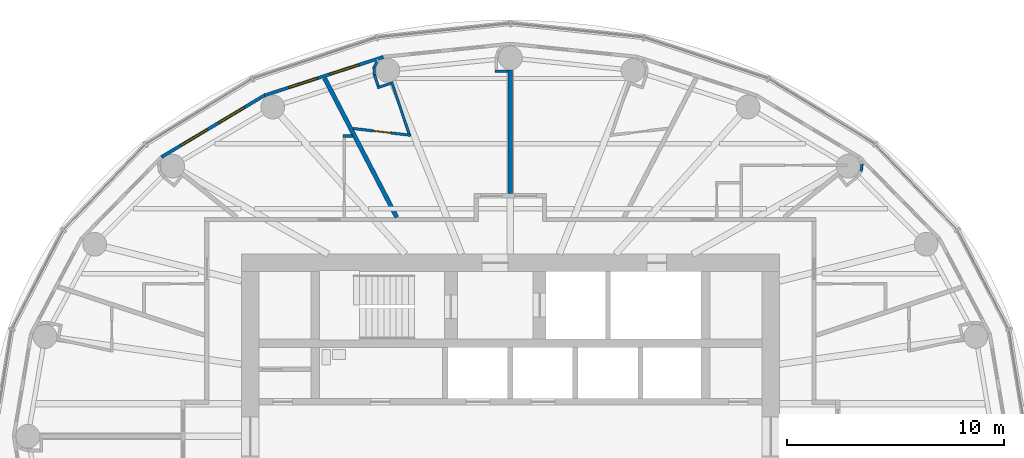
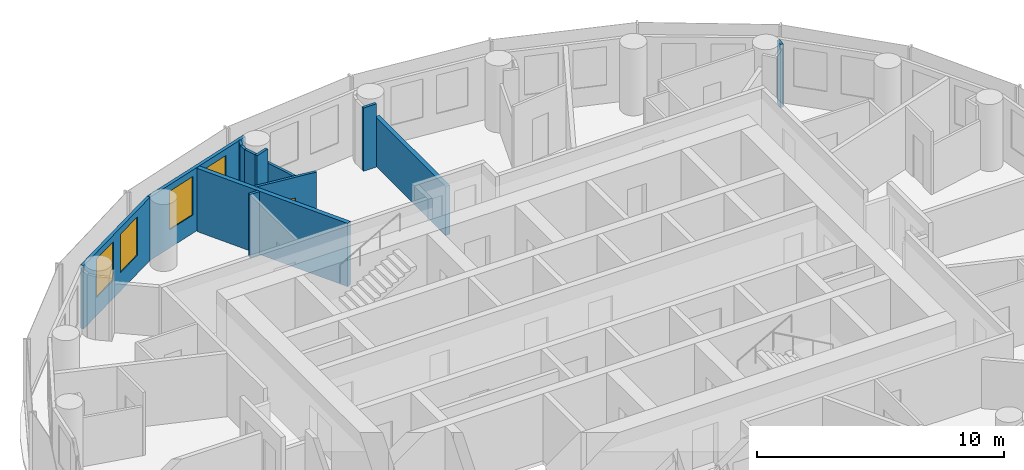
# One storey, part 12 of 16: 13 walls, 4 windows, 1 door, 5 openings.
"""IFC4 building model written with IfcOpenShell, lengths in metres."""

from ifc_helpers import new_model, si_unit, direction, frame, frame_2d, origin, place, context, subcontext, project, spatial, rectangle, extrude, material, layer, layer_set, type_object, element, fill, save


model = new_model("IFC4")

# Units and contexts
model_context = context("Model", 3, precision=1e-05, world=origin(), true_north=direction((0.0, 1.0)))
body_context = subcontext(model_context, "Body", "Model", "MODEL_VIEW")
ifc_project = project(units=[si_unit("LENGTHUNIT", "METRE"), si_unit("AREAUNIT", "SQUARE_METRE"), si_unit("VOLUMEUNIT", "CUBIC_METRE"), si_unit("PLANEANGLEUNIT", "RADIAN"), si_unit("MASSUNIT", "GRAM", prefix="KILO")], contexts=[model_context])

# Site, building, storey
site_placement = place(None, origin())
site = spatial("IfcSite", under=ifc_project, at=site_placement, CompositionType="ELEMENT")
building_placement = place(site_placement, origin())
building = spatial("IfcBuilding", under=site, at=building_placement, Name="Hankou Lantern Tower", CompositionType="ELEMENT")
storey_placement = place(building_placement, frame((0.0, 0.0, 150.0)))
storey = spatial("IfcBuildingStorey", under=building, at=storey_placement, Name="L39", CompositionType="ELEMENT", Elevation=150.0)

# Wall, openings, windows
ifc_material_1 = material(Name="Aluminium spandrel panel on steel studs", Category="steel")
ifc_layer_1 = layer(ifc_material_1, 0.14990234375)
ifc_layer_set_1 = layer_set([ifc_layer_1], Name="Aluminium spandrel panel on steel studs")
wall_type_1 = type_object("IfcWallType", Name="EW1 INNER SKIN WALL 150", PredefinedType="ELEMENTEDWALL", material=ifc_layer_set_1)
wall_1_placement = place(storey_placement, frame((-5.8603515625, 17.497314453125, 0.0), z_axis=(0.0, 0.0, 1.0), x_axis=(-0.951432482129, -0.307857486429, 0.0)))
wall_1 = element("IfcWall", 1, at=wall_1_placement, inside=storey, type_object=wall_type_1, Name="Inner skin R08-R09 L39", PredefinedType="ELEMENTEDWALL", context=body_context, shape_type="SweptSolid", body=[
    extrude(rectangle(XDim=5.76611328125, YDim=0.14990234375, at=frame_2d((2.883056640625, 0.0))), origin(), (0.0, 0.0, 1.0), 3.1201171875),
])
opening_1_placement = place(wall_1_placement, frame((1.18310546875, 0.0, 0.89990234375)))
opening_1 = element("IfcOpeningElement", 2, at=opening_1_placement, cuts=wall_1, Name="Opening W3", PredefinedType="OPENING", context=body_context, shape_type="SweptSolid", body=[
    extrude(rectangle(XDim=1.39990234375, YDim=1.89990234375, at=frame_2d((0.699951171875, 0.949951171875))), frame((0.0, 0.0849609375, 0.0), z_axis=(0.0, -1.0, 0.0), x_axis=(1.0, 0.0, 0.0)), (0.0, 0.0, 1.0), 0.169921875),
])
opening_2_placement = place(wall_1_placement, frame((3.18310546875, 0.0, 0.89990234375)))
opening_2 = element("IfcOpeningElement", 3, at=opening_2_placement, cuts=wall_1, Name="Opening W3", PredefinedType="OPENING", context=body_context, shape_type="SweptSolid", body=[
    extrude(rectangle(XDim=1.39990234375, YDim=1.89990234375, at=frame_2d((0.699951171875, 0.949951171875))), frame((0.0, 0.0849609375, 0.0), z_axis=(0.0, -1.0, 0.0), x_axis=(1.0, 0.0, 0.0)), (0.0, 0.0, 1.0), 0.169921875),
])
ifc_material_2 = material(Name="Aluminium framed double glazed window", Category="aluminium")
window_type = type_object("IfcWindowType", Name="W3 GUEST ROOM WINDOW 1400X1900", PartitioningType="DOUBLE_PANEL_VERTICAL", PredefinedType="WINDOW", material=ifc_material_2)
window_1_placement = place(opening_1_placement, origin())
window_1 = element("IfcWindow", 4, at=window_1_placement, inside=storey, type_object=window_type, Name="Window R08.1 L39", OverallHeight=1.89990234375, OverallWidth=1.39990234375, PartitioningType="SINGLE_PANEL", PredefinedType="WINDOW", context=body_context, shape_type="SweptSolid", body=[
    extrude(rectangle(XDim=1.39990234375, YDim=1.89990234375, at=frame_2d((0.699951171875, 0.949951171875))), frame((0.0, 0.030029296875, 0.0), z_axis=(0.0, -1.0, 0.0), x_axis=(1.0, 0.0, 0.0)), (0.0, 0.0, 1.0), 0.06005859375),
])
fill(opening_1, window_1)
window_2_placement = place(opening_2_placement, origin())
window_2 = element("IfcWindow", 5, at=window_2_placement, inside=storey, type_object=window_type, Name="Window R08.2 L39", OverallHeight=1.89990234375, OverallWidth=1.39990234375, PartitioningType="SINGLE_PANEL", PredefinedType="WINDOW", context=body_context, shape_type="SweptSolid", body=[
    extrude(rectangle(XDim=1.39990234375, YDim=1.89990234375, at=frame_2d((0.699951171875, 0.949951171875))), frame((0.0, 0.030029296875, 0.0), z_axis=(0.0, -1.0, 0.0), x_axis=(1.0, 0.0, 0.0)), (0.0, 0.0, 1.0), 0.06005859375),
])
fill(opening_2, window_2)

wall_2_placement = place(storey_placement, frame((-11.346435546875, 15.72216796875, 0.0), z_axis=(0.0, 0.0, 1.0), x_axis=(-0.857695199231, -0.514158482587, 0.0)))
wall_2 = element("IfcWall", 6, at=wall_2_placement, inside=storey, type_object=wall_type_1, Name="Inner skin R09-R10 L39", PredefinedType="ELEMENTEDWALL", context=body_context, shape_type="SweptSolid", body=[
    extrude(rectangle(XDim=5.5361328125, YDim=0.14990234375, at=frame_2d((2.76806640625, 0.0))), origin(), (0.0, 0.0, 1.0), 3.1201171875),
])
opening_3_placement = place(wall_2_placement, frame((1.068115234375, 0.0, 0.89990234375)))
opening_3 = element("IfcOpeningElement", 7, at=opening_3_placement, cuts=wall_2, Name="Opening W3", PredefinedType="OPENING", context=body_context, shape_type="SweptSolid", body=[
    extrude(rectangle(XDim=1.39990234375, YDim=1.89990234375, at=frame_2d((0.699951171875, 0.949951171875))), frame((0.0, 0.0849609375, 0.0), z_axis=(0.0, -1.0, 0.0), x_axis=(1.0, 0.0, 0.0)), (0.0, 0.0, 1.0), 0.169921875),
])
opening_4_placement = place(wall_2_placement, frame((3.068115234375, 0.0, 0.89990234375)))
opening_4 = element("IfcOpeningElement", 8, at=opening_4_placement, cuts=wall_2, Name="Opening W3", PredefinedType="OPENING", context=body_context, shape_type="SweptSolid", body=[
    extrude(rectangle(XDim=1.39990234375, YDim=1.89990234375, at=frame_2d((0.699951171875, 0.949951171875))), frame((0.0, 0.0849609375, 0.0), z_axis=(0.0, -1.0, 0.0), x_axis=(1.0, 0.0, 0.0)), (0.0, 0.0, 1.0), 0.169921875),
])
window_3_placement = place(opening_3_placement, origin())
window_3 = element("IfcWindow", 9, at=window_3_placement, inside=storey, type_object=window_type, Name="Window R09.1 L39", OverallHeight=1.89990234375, OverallWidth=1.39990234375, PartitioningType="SINGLE_PANEL", PredefinedType="WINDOW", context=body_context, shape_type="SweptSolid", body=[
    extrude(rectangle(XDim=1.39990234375, YDim=1.89990234375, at=frame_2d((0.699951171875, 0.949951171875))), frame((0.0, 0.030029296875, 0.0), z_axis=(0.0, -1.0, 0.0), x_axis=(1.0, 0.0, 0.0)), (0.0, 0.0, 1.0), 0.06005859375),
])
fill(opening_3, window_3)
window_4_placement = place(opening_4_placement, origin())
window_4 = element("IfcWindow", 10, at=window_4_placement, inside=storey, type_object=window_type, Name="Window R09.2 L39", OverallHeight=1.89990234375, OverallWidth=1.39990234375, PartitioningType="SINGLE_PANEL", PredefinedType="WINDOW", context=body_context, shape_type="SweptSolid", body=[
    extrude(rectangle(XDim=1.39990234375, YDim=1.89990234375, at=frame_2d((0.699951171875, 0.949951171875))), frame((0.0, 0.030029296875, 0.0), z_axis=(0.0, -1.0, 0.0), x_axis=(1.0, 0.0, 0.0)), (0.0, 0.0, 1.0), 0.06005859375),
])
fill(opening_4, window_4)

# Walls
ifc_material_3 = material(Name="Masonry lightweight concrete block", Category="masonry")
ifc_layer_2 = layer(ifc_material_3, 0.199951171875)
ifc_layer_set_2 = layer_set([ifc_layer_2], Name="Masonry lightweight concrete block")
wall_type_2 = type_object("IfcWallType", Name="IW1 GUEST ROOM PARTY WALL 200", PredefinedType="PARTITIONING", material=ifc_layer_set_2)
wall_3_placement = place(storey_placement, frame((0.0, 11.199951171875, 0.0), z_axis=(0.0, 0.0, 1.0), x_axis=(0.0, 1.0, 0.0)))
element("IfcWall", 11, at=wall_3_placement, inside=storey, type_object=wall_type_2, Name="Party wall R07", PredefinedType="PARTITIONING", context=body_context, shape_type="SweptSolid", body=[
    extrude(rectangle(XDim=5.699951171875, YDim=0.199951171875, at=frame_2d((2.85009765625, 0.0))), origin(), (0.0, 0.0, 1.0), 2.419921875),
])
wall_4_placement = place(storey_placement, frame((-5.239990234375, 10.10009765625, 0.0), z_axis=(0.0, 0.0, 1.0), x_axis=(-0.460532965373, 0.887642601391, 0.0)))
element("IfcWall", 12, at=wall_4_placement, inside=storey, type_object=wall_type_2, Name="Party wall R08-R09", PredefinedType="PARTITIONING", context=body_context, shape_type="SweptSolid", body=[
    extrude(rectangle(XDim=7.2314453125, YDim=0.199951171875, at=frame_2d((3.61572265625, 0.0))), origin(), (0.0, 0.0, 1.0), 3.1201171875),
])

# Wall, opening, door
ifc_material_4 = material(Name="Masonry lightweight concrete block", Category="masonry")
ifc_layer_3 = layer(ifc_material_4, 0.1201171875)
ifc_layer_set_3 = layer_set([ifc_layer_3], Name="Masonry lightweight concrete block")
wall_type_3 = type_object("IfcWallType", Name="IW3 BATHROOM WALL 120", PredefinedType="PARTITIONING", material=ifc_layer_set_3)
wall_5_placement = place(storey_placement, frame((-7.2529296875, 14.197021484375, 0.0), z_axis=(0.0, 0.0, 1.0), x_axis=(0.993128188393, -0.117031625725, 0.0)))
wall_5 = element("IfcWall", 13, at=wall_5_placement, inside=storey, type_object=wall_type_3, Name="Box wall 3904 1", PredefinedType="PARTITIONING", context=body_context, shape_type="SweptSolid", body=[
    extrude(rectangle(XDim=2.678466796875, YDim=0.1201171875, at=frame_2d((1.33935546875, 0.0))), origin(), (0.0, 0.0, 1.0), 3.1201171875),
])
opening_5_placement = place(wall_5_placement, frame((0.939208984375, 0.0, 0.0)))
opening_5 = element("IfcOpeningElement", 14, at=opening_5_placement, cuts=wall_5, Name="Opening D3", PredefinedType="OPENING", context=body_context, shape_type="SweptSolid", body=[
    extrude(rectangle(XDim=0.800048828125, YDim=2.10009765625, at=frame_2d((0.39990234375, 1.050048828125))), frame((0.0, 0.070068359375, 0.0), z_axis=(0.0, -1.0, 0.0), x_axis=(1.0, 0.0, 0.0)), (0.0, 0.0, 1.0), 0.14013671875),
])
ifc_material_5 = material(Name="Timber door leaf", Category="wood")
door_type = type_object("IfcDoorType", Name="D3 BATHROOM DOOR 800X2100", OperationType="SINGLE_SWING_LEFT", PredefinedType="DOOR", material=ifc_material_5)
door_placement = place(opening_5_placement, origin())
door = element("IfcDoor", 15, at=door_placement, inside=storey, type_object=door_type, Name="En-suite bathroom 3904 door", OperationType="SINGLE_SWING_RIGHT", OverallHeight=2.10009765625, OverallWidth=0.800048828125, PredefinedType="DOOR", context=body_context, shape_type="SweptSolid", body=[
    extrude(rectangle(XDim=0.800048828125, YDim=2.10009765625, at=frame_2d((0.39990234375, 1.050048828125))), frame((0.0, 0.02490234375, 0.0), z_axis=(0.0, -1.0, 0.0), x_axis=(1.0, 0.0, 0.0)), (0.0, 0.0, 1.0), 0.050048828125),
])
fill(opening_5, door)

# Walls
wall_6_placement = place(storey_placement, frame((-4.67138671875, 13.947509765625, 0.0), z_axis=(0.0, 0.0, 1.0), x_axis=(-0.317669167093, 0.948201613729, 0.0)))
element("IfcWall", 16, at=wall_6_placement, inside=storey, type_object=wall_type_3, Name="Box wall 3904 2", PredefinedType="PARTITIONING", context=body_context, shape_type="SweptSolid", body=[
    extrude(rectangle(XDim=2.5400390625, YDim=0.1201171875, at=frame_2d((1.27001953125, 0.0))), origin(), (0.0, 0.0, 1.0), 2.419921875),
])
wall_7_placement = place(storey_placement, frame((-5.51611328125, 16.280029296875, 0.0), z_axis=(0.0, 0.0, 1.0), x_axis=(-0.948157944392, -0.317799484717, 0.0)))
element("IfcWall", 17, at=wall_7_placement, inside=storey, type_object=wall_type_3, Name="Column casing 3904 return", PredefinedType="PARTITIONING", context=body_context, shape_type="SweptSolid", body=[
    extrude(rectangle(XDim=0.652099609375, YDim=0.1201171875, at=frame_2d((0.326171875, 0.0))), origin(), (0.0, 0.0, 1.0), 3.1201171875),
])
wall_8_placement = place(storey_placement, frame((-6.0966796875, 16.148681640625, 0.0), z_axis=(0.0, 0.0, 1.0), x_axis=(-0.317292604854, 0.948327687514, 0.0)))
element("IfcWall", 18, at=wall_8_placement, inside=storey, type_object=wall_type_3, Name="Column casing 3904", PredefinedType="PARTITIONING", context=body_context, shape_type="SweptSolid", body=[
    extrude(rectangle(XDim=0.550048828125, YDim=0.1201171875, at=frame_2d((0.27490234375, 0.0))), origin(), (0.0, 0.0, 1.0), 3.1201171875),
])
for number, where, z_axis, x_axis, name in (
    (19, (-6.271240234375, 16.67041015625, 0.0), (0.0, 0.0, 1.0), (-0.061477694849, 0.998108457552, 0.0), "Column casing 3904"),
    (20, (-6.2919921875, 17.00732421875, 0.0), (0.0, 0.0, 1.0), (0.445477128334, 0.895293319606, 0.0), "Column casing 3904"),
):
    element("IfcWall", number, at=place(storey_placement, frame(where, z_axis=z_axis, x_axis=x_axis)), inside=storey, type_object=wall_type_3, Name=name, PredefinedType="PARTITIONING", context=body_context, shape_type="SweptSolid", body=[
        extrude(rectangle(XDim=0.337646484375, YDim=0.1201171875, at=frame_2d((0.1689453125, 0.0))), origin(), (0.0, 0.0, 1.0), 3.1201171875),
    ])
wall_9_placement = place(storey_placement, frame((-7.28564453125, 13.85009765625, 0.0), z_axis=(0.0, 0.0, 1.0), x_axis=(-1.0, 0.0, 0.0)))
element("IfcWall", 21, at=wall_9_placement, inside=storey, type_object=wall_type_3, Name="Box wall 3905 1", PredefinedType="PARTITIONING", context=body_context, shape_type="SweptSolid", body=[
    extrude(rectangle(XDim=0.4443359375, YDim=0.1201171875, at=frame_2d((0.22216796875, 0.0))), origin(), (0.0, 0.0, 1.0), 3.1201171875),
])
ifc_material_6 = material(Name="Masonry lightweight concrete block", Category="masonry")
ifc_layer_4 = layer(ifc_material_6, 0.1201171875)
ifc_layer_set_4 = layer_set([ifc_layer_4], Name="Masonry lightweight concrete block")
wall_type_4 = type_object("IfcWallType", Name="IW4 PARTITION 120", PredefinedType="PARTITIONING", material=ifc_layer_set_4)
wall_10_placement = place(storey_placement, frame((16.18359375, 12.2236328125, 0.0), z_axis=(0.0, 0.0, 1.0), x_axis=(0.110669692975, 0.993857242795, 0.0)))
element("IfcWall", 22, at=wall_10_placement, inside=storey, type_object=wall_type_4, Name="Column casing R04", PredefinedType="PARTITIONING", context=body_context, shape_type="SweptSolid", body=[
    extrude(rectangle(XDim=0.33740234375, YDim=0.1201171875, at=frame_2d((0.168701171875, 0.0))), origin(), (0.0, 0.0, 1.0), 3.1201171875),
])
wall_11_placement = place(storey_placement, frame((-0.10009765625, 16.840087890625, 0.0), z_axis=(0.0, 0.0, 1.0), x_axis=(-1.0, 0.0, 0.0)))
element("IfcWall", 23, at=wall_11_placement, inside=storey, type_object=wall_type_4, Name="Column casing R07 return", PredefinedType="PARTITIONING", context=body_context, shape_type="SweptSolid", body=[
    extrude(rectangle(XDim=0.612060546875, YDim=0.1201171875, at=frame_2d((0.30615234375, 0.0))), origin(), (0.0, 0.0, 1.0), 3.1201171875),
])

save(model, "model.ifc")
